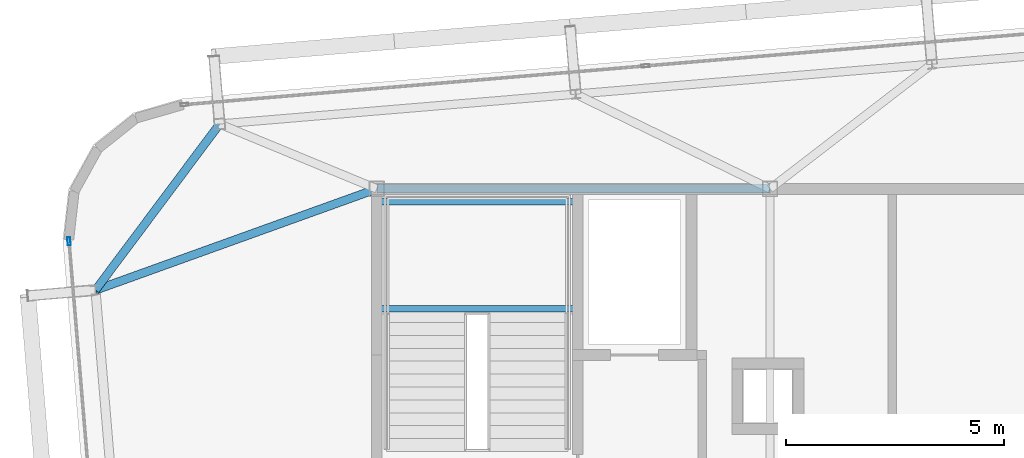
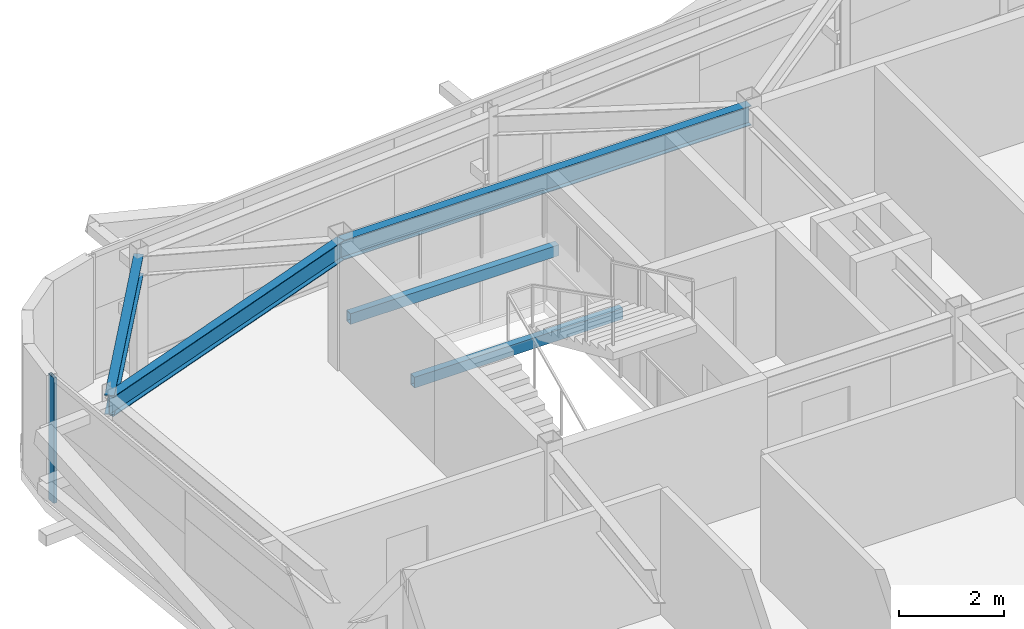
# One storey, part 14 of 39: 5 beams, 1 member, 1 element without a shape of its own.
"""IFC4 building model written with IfcOpenShell, lengths in metres."""

import ifcopenshell
import ifcopenshell.guid

model = None  # the IFC model being written
_history = None  # IfcOwnerHistory: only IFC2X3 demands one
_inside = {}  # id of a spatial element -> (the spatial element, [elements in it])
_under = {}  # id of a project, library or spatial element -> (it, [spatial elements below it])
_declared = {}  # id of a project -> (the project, [libraries it declares])
_typed = {}  # id of a type object -> (the type object, [elements of that type])
_made_of = {}  # id of a material, layer set ... -> (it, [elements and type objects made of it])


def new_model(schema):
    """Start an empty IFC model of exactly this schema.

    Asked for "IFC4X3", IfcOpenShell would pick the latest addendum, in which some entities
    have other attributes; the version numbers below select the first issue.
    IFC2X3 requires an IfcOwnerHistory on every rooted entity: one is made here for all.
    """
    global model, _history
    if schema == "IFC4X3":
        model = ifcopenshell.file(schema_version=(4, 3, 0, 0))
    else:
        model = ifcopenshell.file(schema=schema)
    _inside.clear()
    _under.clear()
    _declared.clear()
    _typed.clear()
    _made_of.clear()
    _history = None
    if model.schema == "IFC2X3":
        org = make("IfcOrganization", Name="unknown")
        user = make(
            "IfcPersonAndOrganization",
            ThePerson=make("IfcPerson", FamilyName="unknown"),
            TheOrganization=org,
        )
        app = make(
            "IfcApplication",
            ApplicationDeveloper=org,
            Version="unknown",
            ApplicationFullName="unknown",
            ApplicationIdentifier="unknown",
        )
        _history = make(
            "IfcOwnerHistory",
            OwningUser=user,
            OwningApplication=app,
            ChangeAction="ADDED",
            CreationDate=0,
        )
    return model


def make(cls, **values):
    """One entity of the class cls with the attributes given. An attribute that is None is left unset."""
    return model.create_entity(
        cls, **{name: value for name, value in values.items() if value is not None}
    )


def rooted(cls, **values):
    """An entity with a GlobalId (a new one), such as an element, a storey or a relation."""
    return make(cls, GlobalId=ifcopenshell.guid.new(), OwnerHistory=_history, **values)


def si_unit(unit_type, name, prefix=None):
    """IfcSIUnit, for example si_unit("LENGTHUNIT", "METRE", prefix="MILLI")."""
    return make("IfcSIUnit", UnitType=unit_type, Prefix=prefix, Name=name)


def assignment(units):
    """IfcUnitAssignment: the units of a project."""
    return None if units is None else make("IfcUnitAssignment", Units=units)


def point(xyz):
    """IfcCartesianPoint."""
    return None if xyz is None else make("IfcCartesianPoint", Coordinates=xyz)


def direction(xyz):
    """IfcDirection."""
    return None if xyz is None else make("IfcDirection", DirectionRatios=xyz)


def frame(location, z_axis=None, x_axis=None):
    """IfcAxis2Placement3D, a coordinate frame: its origin and axes. An axis left out is left unset."""
    return make(
        "IfcAxis2Placement3D",
        Location=point(location),
        Axis=direction(z_axis),
        RefDirection=direction(x_axis),
    )


def frame_2d(location, x_axis=None):
    """IfcAxis2Placement2D, a coordinate frame in the plane: its origin and x axis."""
    return make(
        "IfcAxis2Placement2D", Location=point(location), RefDirection=direction(x_axis)
    )


def origin():
    """The frame at (0, 0, 0) with its axes left unset."""
    return frame((0.0, 0.0, 0.0))


def origin_2d():
    """The frame at (0, 0) in the plane with its x axis left unset."""
    return frame_2d((0.0, 0.0))


def place(relative_to, where):
    """IfcLocalPlacement: puts the frame where relative to a parent placement (None: the world)."""
    return make(
        "IfcLocalPlacement", PlacementRelTo=relative_to, RelativePlacement=where
    )


def context(
    kind, dimensions, precision=None, world=None, true_north=None, identifier=None
):
    """IfcGeometricRepresentationContext, for example the 3D "Model" context."""
    return make(
        "IfcGeometricRepresentationContext",
        ContextIdentifier=identifier,
        ContextType=kind,
        CoordinateSpaceDimension=dimensions,
        Precision=precision,
        WorldCoordinateSystem=world,
        TrueNorth=true_north,
    )


def subcontext(parent, identifier, kind, view, scale=None):
    """IfcGeometricRepresentationSubContext, for example "Body" below "Model"."""
    return make(
        "IfcGeometricRepresentationSubContext",
        ContextIdentifier=identifier,
        ContextType=kind,
        ParentContext=parent,
        TargetScale=scale,
        TargetView=view,
    )


def project(units=None, contexts=None):
    """IfcProject with its units and contexts."""
    return rooted(
        "IfcProject",
        Name="project",
        RepresentationContexts=contexts,
        UnitsInContext=assignment(units),
    )


def spatial(cls, under=None, at=None, **own):
    """A site, building, storey or space (cls), placed at a placement, below another one or the project."""
    s = rooted(cls, ObjectPlacement=at, **own)
    if under is not None:
        _under.setdefault(under.id(), (under, []))[1].append(s)
    return s


def profile(cls, at=None, kind="AREA", **sizes):
    """A parametric profile (cls). Its sizes go by their IFC names, for example OverallWidth=200.0."""
    return make(cls, ProfileType=kind, Position=at, **sizes)


def hollow_rectangle(**sizes):
    """IfcRectangleHollowProfileDef."""
    return profile("IfcRectangleHollowProfileDef", **sizes)


def i_section(**sizes):
    """IfcIShapeProfileDef."""
    return profile("IfcIShapeProfileDef", **sizes)


def extrude(swept, where, along, depth):
    """IfcExtrudedAreaSolid: the profile swept, set in the frame where, extruded along a direction by depth."""
    return make(
        "IfcExtrudedAreaSolid",
        SweptArea=swept,
        Position=where,
        ExtrudedDirection=direction(along),
        Depth=depth,
    )


def shape(context_of_items, identifier, shape_type, items):
    """IfcShapeRepresentation: the items that make up one representation, for example the "Body"."""
    return make(
        "IfcShapeRepresentation",
        ContextOfItems=context_of_items,
        RepresentationIdentifier=identifier,
        RepresentationType=shape_type,
        Items=items,
    )


def source(mapping_origin, context_of_items, identifier, shape_type, items):
    """IfcRepresentationMap: a shape defined once, which mapped items show again and again."""
    return make(
        "IfcRepresentationMap",
        MappingOrigin=mapping_origin,
        MappedRepresentation=shape(context_of_items, identifier, shape_type, items),
    )


def transform(
    local_origin,
    x_axis=None,
    y_axis=None,
    z_axis=None,
    scale=None,
    scale2=None,
    scale3=None,
    uniform=True,
):
    """IfcCartesianTransformationOperator3D, or its non-uniform kind. x_axis, y_axis, z_axis: its Axis1, 2, 3."""
    if uniform:
        return make(
            "IfcCartesianTransformationOperator3D",
            Axis1=direction(x_axis),
            Axis2=direction(y_axis),
            LocalOrigin=point(local_origin),
            Scale=scale,
            Axis3=direction(z_axis),
        )
    return make(
        "IfcCartesianTransformationOperator3DnonUniform",
        Axis1=direction(x_axis),
        Axis2=direction(y_axis),
        LocalOrigin=point(local_origin),
        Scale=scale,
        Axis3=direction(z_axis),
        Scale2=scale2,
        Scale3=scale3,
    )


def mapped(mapping_source, mapping_target):
    """IfcMappedItem: shows the shape of a source again, moved by a transform."""
    return make(
        "IfcMappedItem", MappingSource=mapping_source, MappingTarget=mapping_target
    )


def material(Name=None, Category=None):
    """IfcMaterial."""
    return make("IfcMaterial", Name=Name, Category=Category)


def layer(
    of_material, thickness, ventilated=None, Name=None, Category=None, Priority=None
):
    """IfcMaterialLayer: one layer of a wall or slab, of a material (None: an air gap)."""
    return make(
        "IfcMaterialLayer",
        Material=of_material,
        LayerThickness=thickness,
        IsVentilated=ventilated,
        Name=Name,
        Category=Category,
        Priority=Priority,
    )


def layer_set(layers, Name=None):
    """IfcMaterialLayerSet."""
    return make("IfcMaterialLayerSet", MaterialLayers=layers, LayerSetName=Name)


def material_profile(
    of_material, cross_section, Name=None, Category=None, Priority=None
):
    """IfcMaterialProfile: a cross section and its material."""
    return make(
        "IfcMaterialProfile",
        Name=Name,
        Material=of_material,
        Profile=cross_section,
        Priority=Priority,
        Category=Category,
    )


def profile_set(profiles, Name=None, composite=None):
    """IfcMaterialProfileSet."""
    return make(
        "IfcMaterialProfileSet",
        Name=Name,
        MaterialProfiles=profiles,
        CompositeProfile=composite,
    )


def made_of(thing, what):
    """Note that an element or type object is made of a material, layer set ...; save() writes the relation."""
    if what is not None:
        _made_of.setdefault(what.id(), (what, []))[1].append(thing)
    return thing


def type_object(cls, material=None, **own):
    """A type object (cls), such as IfcWallType, which elements share."""
    return made_of(rooted(cls, **own), material)


def element(
    cls,
    number,
    at=None,
    inside=None,
    cuts=None,
    type_object=None,
    material=None,
    context=None,
    identifier="Body",
    shape_type=None,
    held_by="IfcProductDefinitionShape",
    body=None,
    shapes=None,
    **own,
):
    """One element of the class cls, such as IfcWall. Its Tag is "e" and its number.

    at: its placement. inside: the storey or other place that contains it. cuts: it is an
    opening in that element (IfcRelVoidsElement). A single representation is given by context,
    identifier, shape_type and body (its items); several are given by shapes. held_by: the class
    of the entity that holds the representations. save() writes the other relations.
    """
    e = rooted(cls, Tag="e%d" % number, ObjectPlacement=at, **own)
    if body is not None:
        shapes = [shape(context, identifier, shape_type, body)]
    if shapes is not None:
        e.Representation = make(held_by, Representations=shapes)
    if inside is not None:
        _inside.setdefault(inside.id(), (inside, []))[1].append(e)
    if cuts is not None:
        rooted(
            "IfcRelVoidsElement", RelatingBuildingElement=cuts, RelatedOpeningElement=e
        )
    if type_object is not None:
        _typed.setdefault(type_object.id(), (type_object, []))[1].append(e)
    return made_of(e, material)


def aggregate(whole, parts):
    """IfcRelAggregates: a whole, such as a stair, and the parts it consists of."""
    return rooted("IfcRelAggregates", RelatingObject=whole, RelatedObjects=parts)


def save(model, path):
    """Write the relations noted so far, then the file.

    IfcRelAggregates (storeys below a building ...), IfcRelContainedInSpatialStructure (elements
    in a storey), IfcRelDefinesByType, IfcRelAssociatesMaterial and IfcRelDeclares: one each for
    every whole, place, type object, material and project.
    """
    for whole, parts in _under.values():
        aggregate(whole, parts)
    for where, things in _inside.values():
        rooted(
            "IfcRelContainedInSpatialStructure",
            RelatedElements=things,
            RelatingStructure=where,
        )
    for kind, things in _typed.values():
        rooted("IfcRelDefinesByType", RelatedObjects=things, RelatingType=kind)
    for what, things in _made_of.values():
        rooted("IfcRelAssociatesMaterial", RelatedObjects=things, RelatingMaterial=what)
    for by, libraries in _declared.values():
        rooted("IfcRelDeclares", RelatingContext=by, RelatedDefinitions=libraries)
    model.write(path)


model = new_model("IFC4")

# Units and contexts
model_context = context("Model", 3, precision=1e-05, world=origin(), true_north=direction((0.0, 1.0)))
body_context = subcontext(model_context, "Body", "Model", "MODEL_VIEW")
ifc_project = project(units=[si_unit("LENGTHUNIT", "METRE"), si_unit("AREAUNIT", "SQUARE_METRE"), si_unit("VOLUMEUNIT", "CUBIC_METRE"), si_unit("PLANEANGLEUNIT", "RADIAN"), si_unit("MASSUNIT", "GRAM", prefix="KILO")], contexts=[model_context])

# Site, building, storey
site_placement = place(None, origin())
site = spatial("IfcSite", under=ifc_project, at=site_placement, CompositionType="ELEMENT")
building_placement = place(site_placement, origin())
building = spatial("IfcBuilding", under=site, at=building_placement, Name="Taldren Reach Tower", CompositionType="ELEMENT")
storey_placement = place(building_placement, frame((0.0, 0.0, 175.699951171875)))
storey = spatial("IfcBuildingStorey", under=building, at=storey_placement, Name="L53", CompositionType="ELEMENT", Elevation=175.699951171875)

# Beams
ifc_material_1 = material(Name="Steel Gr 350 (350PLUS)", Category="steel")
ifc_material_profile_1 = material_profile(ifc_material_1, i_section(OverallWidth=0.19091796875, OverallDepth=0.4599609375, WebThickness=0.010009765625, FlangeThickness=0.01611328125, at=origin_2d()), Name="460UB82.1")
ifc_profile_set_1 = profile_set([ifc_material_profile_1], Name="Steel Gr 350 (350PLUS)")
beam_type_1 = type_object("IfcBeamType", Name="BM-UB460A", PredefinedType="BEAM", material=ifc_profile_set_1)
shared_shape_1 = source(origin(), body_context, "Body", "SweptSolid", [
    extrude(i_section(OverallWidth=0.19091796875, OverallDepth=0.4599609375, WebThickness=0.010009765625, FlangeThickness=0.01611328125, at=origin_2d()), origin(), (0.0, 0.0, 1.0), 9.0),
])
beam_1_placement = place(storey_placement, frame((19.0, 32.0, 2.699951171875), z_axis=(1.0, 0.0, 0.0), x_axis=(0.0, 1.0, 0.0)))
element("IfcBeam", 1, at=beam_1_placement, inside=storey, type_object=beam_type_1, Name="Core-spine girder L53-SP04", PredefinedType="BEAM", context=body_context, shape_type="MappedRepresentation", body=[
    mapped(shared_shape_1, transform((0.0, 0.0, 0.0), scale=1.0)),
])
ifc_material_profile_2 = material_profile(ifc_material_1, i_section(OverallWidth=0.18994140625, OverallDepth=0.4541015625, WebThickness=0.008544921875, FlangeThickness=0.0126953125, at=origin_2d()), Name="460UB67.1")
ifc_profile_set_2 = profile_set([ifc_material_profile_2], Name="Steel Gr 350 (350PLUS)")
beam_type_2 = type_object("IfcBeamType", Name="SP-UB460B", PredefinedType="SPANDREL", material=ifc_profile_set_2)
shared_shape_2 = source(origin(), body_context, "Body", "SweptSolid", [
    extrude(i_section(OverallWidth=0.18994140625, OverallDepth=0.4541015625, WebThickness=0.008544921875, FlangeThickness=0.0126953125, at=origin_2d()), origin(), (0.0, 0.0, 1.0), 4.74609375),
])
beam_2_placement = place(storey_placement, frame((15.40380859375, 33.483642578125, 2.703125), z_axis=(-0.598764719121, -0.800924972226, 0.0), x_axis=(0.800924972226, -0.598764719121, 0.0)))
element("IfcBeam", 2, at=beam_2_placement, inside=storey, type_object=beam_type_2, Name="Perimeter spandrel B4 N1-W3 L53", PredefinedType="SPANDREL", context=body_context, shape_type="MappedRepresentation", body=[
    mapped(shared_shape_2, transform((0.0, 0.0, 0.0), scale=1.0)),
])
shared_shape_3 = source(origin(), body_context, "Body", "SweptSolid", [
    extrude(i_section(OverallWidth=0.19091796875, OverallDepth=0.4599609375, WebThickness=0.010009765625, FlangeThickness=0.01611328125, at=origin_2d()), origin(), (0.0, 0.0, 1.0), 6.842529296875),
])
beam_3_placement = place(storey_placement, frame((19.0, 32.0, 2.699951171875), z_axis=(-0.940889686088, -0.33871315093, 0.0), x_axis=(0.33871315093, -0.940889686088, 0.0)))
element("IfcBeam", 3, at=beam_3_placement, inside=storey, type_object=beam_type_1, Name="Primary floor girder B4-W3 L53", PredefinedType="BEAM", context=body_context, shape_type="MappedRepresentation", body=[
    mapped(shared_shape_3, transform((0.0, 0.0, 0.0), scale=1.0)),
])

# Curtain wall, member
ifc_material_2 = material(Name="Aluminium and Low-E Glass Unitised System", Category="aluminium")
ifc_layer = layer(ifc_material_2, 0.159912109375)
ifc_layer_set = layer_set([ifc_layer], Name="Aluminium and Low-E Glass Unitised System")
curtain_wall_type = type_object("IfcCurtainWallType", Name="CW-SYS-5", PredefinedType="NOTDEFINED", material=ifc_layer_set)
curtain_wall_placement = place(storey_placement, origin())
curtain_wall = element("IfcCurtainWall", 4, at=curtain_wall_placement, inside=storey, type_object=curtain_wall_type, Name="Unitised curtain wall CW-L53-W", PredefinedType="NOTDEFINED")
ifc_material_3 = material(Name="Anodised Aluminium 6063-T6", Category="aluminium")
ifc_material_profile_3 = material_profile(ifc_material_3, hollow_rectangle(XDim=0.070068359375, YDim=0.179931640625, WallThickness=0.00390625, at=origin_2d()), Name="ALU-180x70x4RHS")
ifc_profile_set_3 = profile_set([ifc_material_profile_3], Name="Anodised Aluminium 6063-T6")
member_type = type_object("IfcMemberType", Name="CW-MUL-180", PredefinedType="MULLION", material=ifc_profile_set_3)
shared_shape_4 = source(origin(), body_context, "Body", "SweptSolid", [
    extrude(hollow_rectangle(XDim=0.070068359375, YDim=0.179931640625, WallThickness=0.00390625, at=origin_2d()), origin(), (0.0, 0.0, 1.0), 2.929931640625),
])
member_placement = place(storey_placement, frame((11.956298828125, 30.800537109375, 0.0), z_axis=(0.0, 0.0, 1.0), x_axis=(0.996492847789, 0.083677979808, 0.0)))
member = element("IfcMember", 5, at=member_placement, type_object=member_type, Name="CW-5 mullion 1", PredefinedType="MULLION", context=body_context, shape_type="MappedRepresentation", body=[
    mapped(shared_shape_4, transform((0.0, 0.0, 0.0), scale=1.0)),
])
aggregate(curtain_wall, [member])

# Beams
ifc_material_4 = material(Name="Steel Gr 350 (C350L0)", Category="steel")
ifc_material_profile_4 = material_profile(ifc_material_4, hollow_rectangle(XDim=0.14990234375, YDim=0.25, WallThickness=0.009033203125, at=origin_2d()), Name="250x150x9.0RHS")
ifc_profile_set_4 = profile_set([ifc_material_profile_4], Name="Steel Gr 350 (C350L0)")
beam_type_3 = type_object("IfcBeamType", Name="LN-RHS250", PredefinedType="LINTEL", material=ifc_profile_set_4)
shared_shape_5 = source(origin(), body_context, "Body", "SweptSolid", [
    extrude(hollow_rectangle(XDim=0.14990234375, YDim=0.25, WallThickness=0.009033203125, at=origin_2d()), origin(), (0.0, 0.0, 1.0), 4.60009765625),
])
for number, where, z_axis, x_axis, name in (
    (6, (19.0, 29.2548828125, 1.27001953125), (1.0, 0.0, 0.0), (0.0, 1.0, 0.0), "Stair half-landing support beam ST1-L53-1"),
    (7, (19.0, 31.699951171875, 1.27001953125), (1.0, 0.0, 0.0), (0.0, 1.0, 0.0), "Stair half-landing support beam ST1-L53-2"),
):
    element("IfcBeam", number, at=place(storey_placement, frame(where, z_axis=z_axis, x_axis=x_axis)), inside=storey, type_object=beam_type_3, Name=name, PredefinedType="LINTEL", context=body_context, shape_type="MappedRepresentation", body=[
        mapped(shared_shape_5, transform((0.0, 0.0, 0.0), scale=1.0)),
    ])

save(model, "model.ifc")
